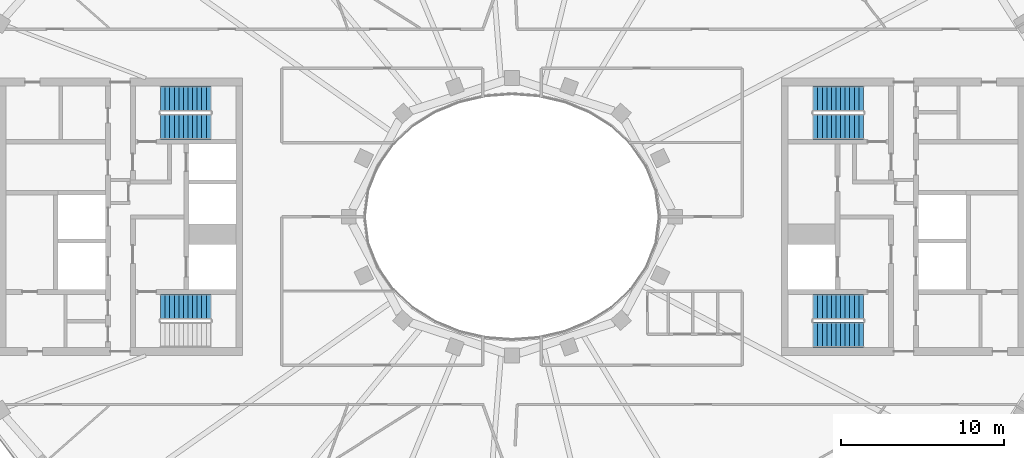
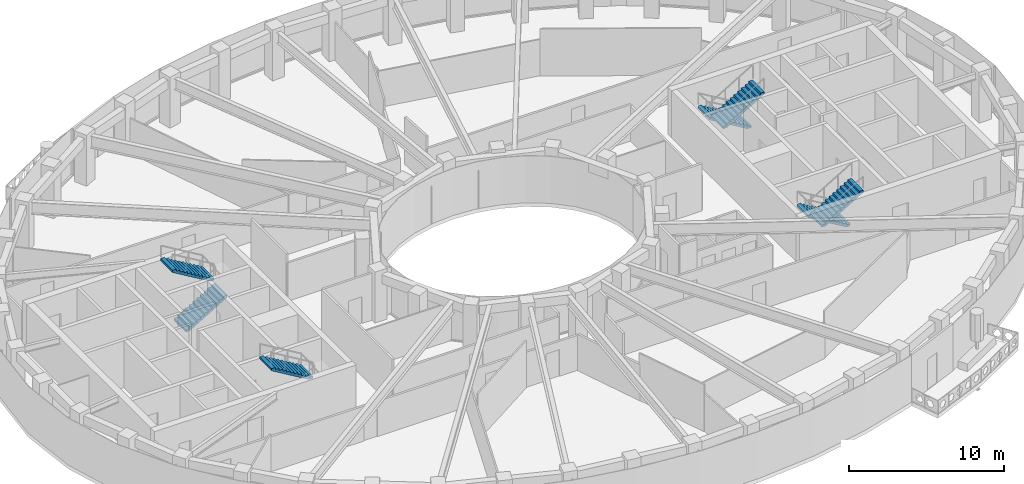
# One storey, part 7 of 15: 7 stair flights, 4 elements without a shape of their own.
"""IFC4 building model written with IfcOpenShell, lengths in metres."""

from ifc_helpers import new_model, si_unit, direction, frame, origin, place, context, subcontext, project, spatial, polyline, outline, extrude, material, type_object, element, aggregate, save


model = new_model("IFC4")

# Units and contexts
model_context = context("Model", 3, precision=1e-05, world=origin(), true_north=direction((0.0, 1.0)))
body_context = subcontext(model_context, "Body", "Model", "MODEL_VIEW")
ifc_project = project(units=[si_unit("LENGTHUNIT", "METRE"), si_unit("AREAUNIT", "SQUARE_METRE"), si_unit("VOLUMEUNIT", "CUBIC_METRE"), si_unit("PLANEANGLEUNIT", "RADIAN"), si_unit("MASSUNIT", "GRAM", prefix="KILO")], contexts=[model_context])

# Site, building, storey
site_placement = place(None, origin())
site = spatial("IfcSite", under=ifc_project, at=site_placement, CompositionType="ELEMENT")
building_placement = place(site_placement, origin())
building = spatial("IfcBuilding", under=site, at=building_placement, Name="Noorbagh Ring Tower", CompositionType="ELEMENT")
storey_placement = place(building_placement, frame((0.0, 0.0, 307.0)))
storey = spatial("IfcBuildingStorey", under=building, at=storey_placement, Name="L66", CompositionType="ELEMENT", Elevation=307.0)

# Stair, stair flights
ifc_material_1 = material(Name="Concrete C40/50", Category="concrete")
stair_type = type_object("IfcStairType", Name="CORE-STAIR", PredefinedType="HALF_TURN_STAIR", material=ifc_material_1)
stair_1_placement = place(storey_placement, origin())
stair_1 = element("IfcStair", 1, at=stair_1_placement, inside=storey, type_object=stair_type, Name="L66 Exit stair ST1", PredefinedType="HALF_TURN_STAIR")
ifc_material_2 = material(Name="Concrete C40/50", Category="concrete")
stair_flight_type = type_object("IfcStairFlightType", Name="CORE-STAIR-FLIGHT", PredefinedType="STRAIGHT", material=ifc_material_2)
stair_flight_1_placement = place(storey_placement, frame((-21.530029296875, 5.52490234375, 0.0), z_axis=(0.0, 0.0, 1.0), x_axis=(1.0, 0.0, 0.0)))
stair_flight_1 = element("IfcStairFlight", 2, at=stair_flight_1_placement, type_object=stair_flight_type, Name="ST1 flight 1", NumberOfRisers=12, NumberOfTreads=11, PredefinedType="STRAIGHT", RiserHeight=0.166666667, TreadLength=0.28, context=body_context, shape_type="SweptSolid", body=[
    extrude(outline(polyline([(0.0, 0.0), (0.0, 0.166748046875), (0.280029296875, 0.166748046875), (0.280029296875, 0.333251953125), (0.56005859375, 0.333251953125), (0.56005859375, 0.5), (0.840087890625, 0.5), (0.840087890625, 0.666748046875), (1.1201171875, 0.666748046875), (1.1201171875, 0.833251953125), (1.39990234375, 0.833251953125), (1.39990234375, 1.0), (1.679931640625, 1.0), (1.679931640625, 1.166748046875), (1.9599609375, 1.166748046875), (1.9599609375, 1.333251953125), (2.239990234375, 1.333251953125), (2.239990234375, 1.5), (2.52001953125, 1.5), (2.52001953125, 1.666748046875), (2.800048828125, 1.666748046875), (2.800048828125, 1.833251953125), (3.080078125, 1.833251953125), (3.080078125, 2.0), (3.080078125, 1.658935546875), (0.29296875, 0.0), (0.0, 0.0)])), frame((0.0, 0.77490234375, 0.0), z_axis=(0.0, -1.0, 0.0), x_axis=(1.0, 0.0, 0.0)), (0.0, 0.0, 1.0), 1.550048828125),
])
stair_flight_2_placement = place(storey_placement, frame((-18.449951171875, 7.22509765625, 2.0), z_axis=(0.0, 0.0, 1.0), x_axis=(-1.0, 0.0, 0.0)))
stair_flight_2 = element("IfcStairFlight", 3, at=stair_flight_2_placement, type_object=stair_flight_type, Name="ST1 flight 2", NumberOfRisers=12, NumberOfTreads=11, PredefinedType="STRAIGHT", RiserHeight=0.166666667, TreadLength=0.28, context=body_context, shape_type="SweptSolid", body=[
    extrude(outline(polyline([(0.0, 0.0), (0.0, 0.166748046875), (0.280029296875, 0.166748046875), (0.280029296875, 0.333251953125), (0.56005859375, 0.333251953125), (0.56005859375, 0.5), (0.840087890625, 0.5), (0.840087890625, 0.666748046875), (1.1201171875, 0.666748046875), (1.1201171875, 0.833251953125), (1.39990234375, 0.833251953125), (1.39990234375, 1.0), (1.679931640625, 1.0), (1.679931640625, 1.166748046875), (1.9599609375, 1.166748046875), (1.9599609375, 1.333251953125), (2.239990234375, 1.333251953125), (2.239990234375, 1.5), (2.52001953125, 1.5), (2.52001953125, 1.666748046875), (2.800048828125, 1.666748046875), (2.800048828125, 1.833251953125), (3.080078125, 1.833251953125), (3.080078125, 2.0), (3.080078125, 1.658935546875), (0.29296875, 0.0), (0.0, 0.0)])), frame((0.0, 0.77490234375, 0.0), z_axis=(0.0, -1.0, 0.0), x_axis=(1.0, 0.0, 0.0)), (0.0, 0.0, 1.0), 1.550048828125),
])
aggregate(stair_1, [stair_flight_1, stair_flight_2])

# Stair, stair flight
stair_2_placement = place(storey_placement, origin())
stair_2 = element("IfcStair", 4, at=stair_2_placement, inside=storey, type_object=stair_type, Name="L66 Exit stair ST2", PredefinedType="HALF_TURN_STAIR")
stair_flight_3_placement = place(storey_placement, frame((-18.449951171875, -5.52490234375, 2.0), z_axis=(0.0, 0.0, 1.0), x_axis=(-1.0, 0.0, 0.0)))
stair_flight_3 = element("IfcStairFlight", 5, at=stair_flight_3_placement, type_object=stair_flight_type, Name="ST2 flight 2", NumberOfRisers=12, NumberOfTreads=11, PredefinedType="STRAIGHT", RiserHeight=0.166666667, TreadLength=0.28, context=body_context, shape_type="SweptSolid", body=[
    extrude(outline(polyline([(0.0, 0.0), (0.0, 0.166748046875), (0.280029296875, 0.166748046875), (0.280029296875, 0.333251953125), (0.56005859375, 0.333251953125), (0.56005859375, 0.5), (0.840087890625, 0.5), (0.840087890625, 0.666748046875), (1.1201171875, 0.666748046875), (1.1201171875, 0.833251953125), (1.39990234375, 0.833251953125), (1.39990234375, 1.0), (1.679931640625, 1.0), (1.679931640625, 1.166748046875), (1.9599609375, 1.166748046875), (1.9599609375, 1.333251953125), (2.239990234375, 1.333251953125), (2.239990234375, 1.5), (2.52001953125, 1.5), (2.52001953125, 1.666748046875), (2.800048828125, 1.666748046875), (2.800048828125, 1.833251953125), (3.080078125, 1.833251953125), (3.080078125, 2.0), (3.080078125, 1.658935546875), (0.29296875, 0.0), (0.0, 0.0)])), frame((0.0, 0.77490234375, 0.0), z_axis=(0.0, -1.0, 0.0), x_axis=(1.0, 0.0, 0.0)), (0.0, 0.0, 1.0), 1.550048828125),
])
aggregate(stair_2, [stair_flight_3])

# Stair, stair flights
stair_3_placement = place(storey_placement, origin())
stair_3 = element("IfcStair", 6, at=stair_3_placement, inside=storey, type_object=stair_type, Name="L66 Exit stair ST3", PredefinedType="HALF_TURN_STAIR")
stair_flight_4_placement = place(storey_placement, frame((21.530029296875, 7.22509765625, 0.0), z_axis=(0.0, 0.0, 1.0), x_axis=(-1.0, 0.0, 0.0)))
stair_flight_4 = element("IfcStairFlight", 7, at=stair_flight_4_placement, type_object=stair_flight_type, Name="ST3 flight 1", NumberOfRisers=12, NumberOfTreads=11, PredefinedType="STRAIGHT", RiserHeight=0.166666667, TreadLength=0.28, context=body_context, shape_type="SweptSolid", body=[
    extrude(outline(polyline([(0.0, 0.0), (0.0, 0.166748046875), (0.280029296875, 0.166748046875), (0.280029296875, 0.333251953125), (0.56005859375, 0.333251953125), (0.56005859375, 0.5), (0.840087890625, 0.5), (0.840087890625, 0.666748046875), (1.1201171875, 0.666748046875), (1.1201171875, 0.833251953125), (1.39990234375, 0.833251953125), (1.39990234375, 1.0), (1.679931640625, 1.0), (1.679931640625, 1.166748046875), (1.9599609375, 1.166748046875), (1.9599609375, 1.333251953125), (2.239990234375, 1.333251953125), (2.239990234375, 1.5), (2.52001953125, 1.5), (2.52001953125, 1.666748046875), (2.800048828125, 1.666748046875), (2.800048828125, 1.833251953125), (3.080078125, 1.833251953125), (3.080078125, 2.0), (3.080078125, 1.658935546875), (0.29296875, 0.0), (0.0, 0.0)])), frame((0.0, 0.77490234375, 0.0), z_axis=(0.0, -1.0, 0.0), x_axis=(1.0, 0.0, 0.0)), (0.0, 0.0, 1.0), 1.550048828125),
])
stair_flight_5_placement = place(storey_placement, frame((18.449951171875, 5.52490234375, 2.0), z_axis=(0.0, 0.0, 1.0), x_axis=(1.0, 0.0, 0.0)))
stair_flight_5 = element("IfcStairFlight", 8, at=stair_flight_5_placement, type_object=stair_flight_type, Name="ST3 flight 2", NumberOfRisers=12, NumberOfTreads=11, PredefinedType="STRAIGHT", RiserHeight=0.166666667, TreadLength=0.28, context=body_context, shape_type="SweptSolid", body=[
    extrude(outline(polyline([(0.0, 0.0), (0.0, 0.166748046875), (0.280029296875, 0.166748046875), (0.280029296875, 0.333251953125), (0.56005859375, 0.333251953125), (0.56005859375, 0.5), (0.840087890625, 0.5), (0.840087890625, 0.666748046875), (1.1201171875, 0.666748046875), (1.1201171875, 0.833251953125), (1.39990234375, 0.833251953125), (1.39990234375, 1.0), (1.679931640625, 1.0), (1.679931640625, 1.166748046875), (1.9599609375, 1.166748046875), (1.9599609375, 1.333251953125), (2.239990234375, 1.333251953125), (2.239990234375, 1.5), (2.52001953125, 1.5), (2.52001953125, 1.666748046875), (2.800048828125, 1.666748046875), (2.800048828125, 1.833251953125), (3.080078125, 1.833251953125), (3.080078125, 2.0), (3.080078125, 1.658935546875), (0.29296875, 0.0), (0.0, 0.0)])), frame((0.0, 0.77490234375, 0.0), z_axis=(0.0, -1.0, 0.0), x_axis=(1.0, 0.0, 0.0)), (0.0, 0.0, 1.0), 1.550048828125),
])
aggregate(stair_3, [stair_flight_4, stair_flight_5])

stair_4_placement = place(storey_placement, origin())
stair_4 = element("IfcStair", 9, at=stair_4_placement, inside=storey, type_object=stair_type, Name="L66 Exit stair ST4", PredefinedType="HALF_TURN_STAIR")
stair_flight_6_placement = place(storey_placement, frame((21.530029296875, -5.52490234375, 0.0), z_axis=(0.0, 0.0, 1.0), x_axis=(-1.0, 0.0, 0.0)))
stair_flight_6 = element("IfcStairFlight", 10, at=stair_flight_6_placement, type_object=stair_flight_type, Name="ST4 flight 1", NumberOfRisers=12, NumberOfTreads=11, PredefinedType="STRAIGHT", RiserHeight=0.166666667, TreadLength=0.28, context=body_context, shape_type="SweptSolid", body=[
    extrude(outline(polyline([(0.0, 0.0), (0.0, 0.166748046875), (0.280029296875, 0.166748046875), (0.280029296875, 0.333251953125), (0.56005859375, 0.333251953125), (0.56005859375, 0.5), (0.840087890625, 0.5), (0.840087890625, 0.666748046875), (1.1201171875, 0.666748046875), (1.1201171875, 0.833251953125), (1.39990234375, 0.833251953125), (1.39990234375, 1.0), (1.679931640625, 1.0), (1.679931640625, 1.166748046875), (1.9599609375, 1.166748046875), (1.9599609375, 1.333251953125), (2.239990234375, 1.333251953125), (2.239990234375, 1.5), (2.52001953125, 1.5), (2.52001953125, 1.666748046875), (2.800048828125, 1.666748046875), (2.800048828125, 1.833251953125), (3.080078125, 1.833251953125), (3.080078125, 2.0), (3.080078125, 1.658935546875), (0.29296875, 0.0), (0.0, 0.0)])), frame((0.0, 0.77490234375, 0.0), z_axis=(0.0, -1.0, 0.0), x_axis=(1.0, 0.0, 0.0)), (0.0, 0.0, 1.0), 1.550048828125),
])
stair_flight_7_placement = place(storey_placement, frame((18.449951171875, -7.22509765625, 2.0), z_axis=(0.0, 0.0, 1.0), x_axis=(1.0, 0.0, 0.0)))
stair_flight_7 = element("IfcStairFlight", 11, at=stair_flight_7_placement, type_object=stair_flight_type, Name="ST4 flight 2", NumberOfRisers=12, NumberOfTreads=11, PredefinedType="STRAIGHT", RiserHeight=0.166666667, TreadLength=0.28, context=body_context, shape_type="SweptSolid", body=[
    extrude(outline(polyline([(0.0, 0.0), (0.0, 0.166748046875), (0.280029296875, 0.166748046875), (0.280029296875, 0.333251953125), (0.56005859375, 0.333251953125), (0.56005859375, 0.5), (0.840087890625, 0.5), (0.840087890625, 0.666748046875), (1.1201171875, 0.666748046875), (1.1201171875, 0.833251953125), (1.39990234375, 0.833251953125), (1.39990234375, 1.0), (1.679931640625, 1.0), (1.679931640625, 1.166748046875), (1.9599609375, 1.166748046875), (1.9599609375, 1.333251953125), (2.239990234375, 1.333251953125), (2.239990234375, 1.5), (2.52001953125, 1.5), (2.52001953125, 1.666748046875), (2.800048828125, 1.666748046875), (2.800048828125, 1.833251953125), (3.080078125, 1.833251953125), (3.080078125, 2.0), (3.080078125, 1.658935546875), (0.29296875, 0.0), (0.0, 0.0)])), frame((0.0, 0.77490234375, 0.0), z_axis=(0.0, -1.0, 0.0), x_axis=(1.0, 0.0, 0.0)), (0.0, 0.0, 1.0), 1.550048828125),
])
aggregate(stair_4, [stair_flight_6, stair_flight_7])

save(model, "model.ifc")
